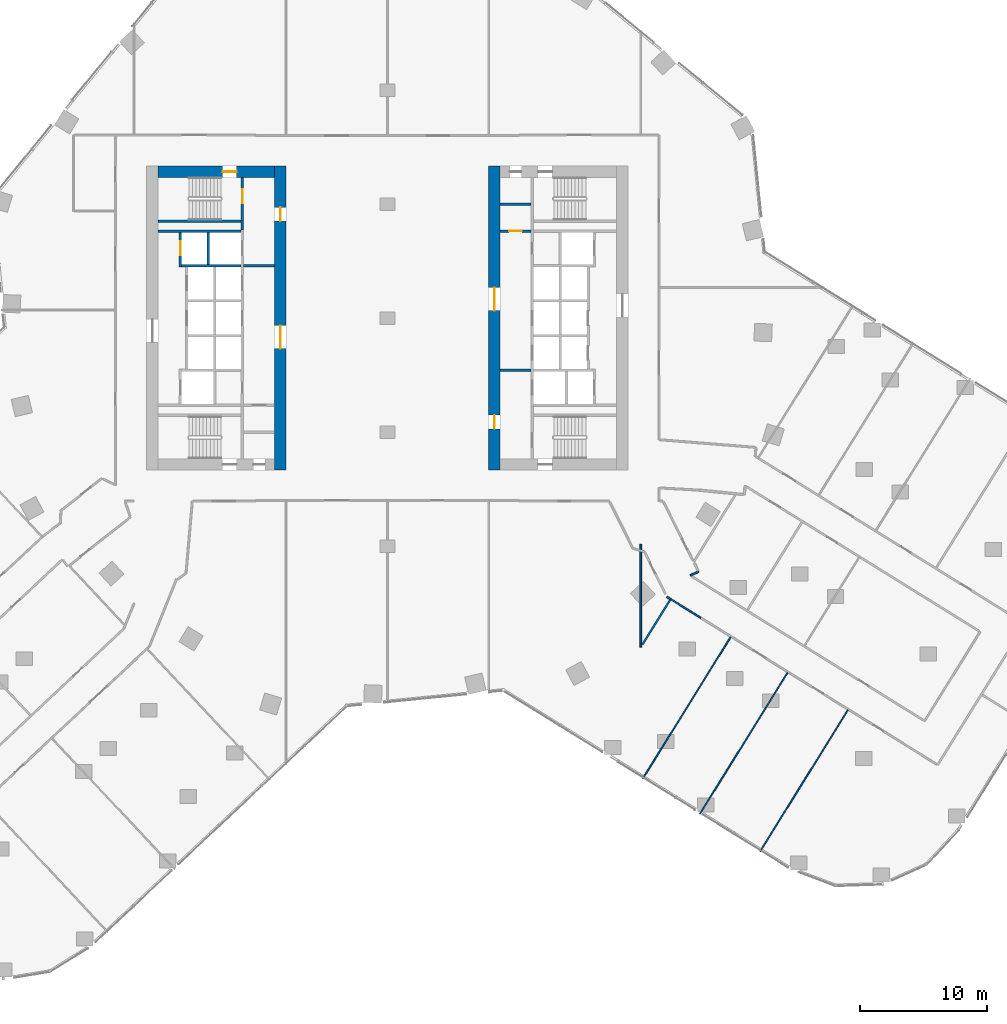
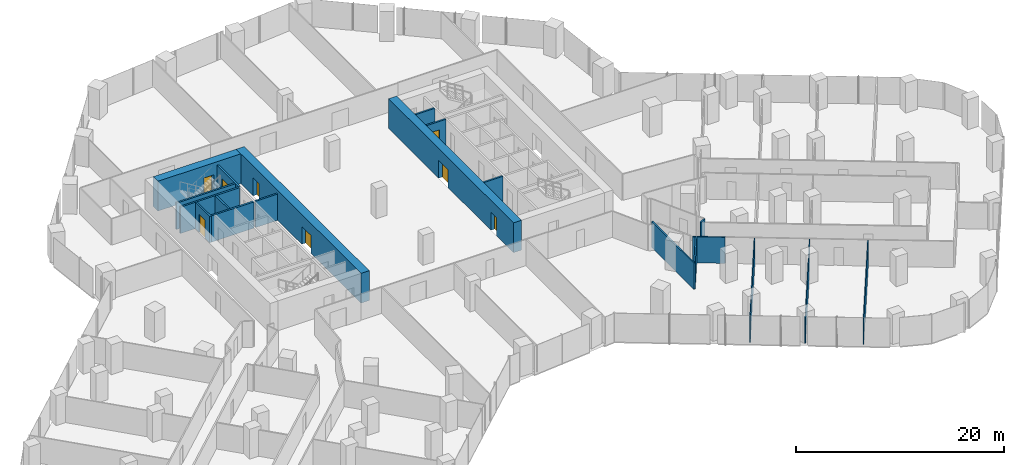
# One storey, part 29 of 34: 21 walls, 8 doors, 8 openings.
"""IFC4 building model written with IfcOpenShell, lengths in metres."""

from ifc_helpers import new_model, si_unit, direction, frame, frame_2d, origin, place, context, subcontext, project, spatial, rectangle, extrude, material, layer, layer_set, type_object, element, fill, save


model = new_model("IFC4")

# Units and contexts
model_context = context("Model", 3, precision=1e-05, world=origin(), true_north=direction((0.0, 1.0)))
body_context = subcontext(model_context, "Body", "Model", "MODEL_VIEW")
ifc_project = project(units=[si_unit("LENGTHUNIT", "METRE"), si_unit("AREAUNIT", "SQUARE_METRE"), si_unit("VOLUMEUNIT", "CUBIC_METRE"), si_unit("PLANEANGLEUNIT", "RADIAN"), si_unit("MASSUNIT", "GRAM", prefix="KILO")], contexts=[model_context])

# Site, building, storey
site_placement = place(None, origin())
site = spatial("IfcSite", under=ifc_project, at=site_placement, CompositionType="ELEMENT")
building_placement = place(site_placement, origin())
building = spatial("IfcBuilding", under=site, at=building_placement, Name="Orlundy Tower", CompositionType="ELEMENT")
storey_placement = place(building_placement, frame((0.0, 0.0, 40.800048828125)))
storey = spatial("IfcBuildingStorey", under=building, at=storey_placement, Name="L08", CompositionType="ELEMENT", Elevation=40.800048828125)

# Wall, opening, door
ifc_material_1 = material(Name="Concrete C80/95", Category="concrete")
ifc_layer_1 = layer(ifc_material_1, 0.89990234375)
ifc_layer_set_1 = layer_set([ifc_layer_1], Name="CORE WALL 900 C80/95")
wall_type_1 = type_object("IfcWallType", Name="CORE WALL 900 C80/95", PredefinedType="SHEAR", material=ifc_layer_set_1)
wall_1_placement = place(storey_placement, frame((-18.10009765625, 11.550048828125, 0.0), z_axis=(0.0, 0.0, 1.0), x_axis=(1.0, 0.0, 0.0)))
wall_1 = element("IfcWall", 1, at=wall_1_placement, inside=storey, type_object=wall_type_1, Name="Core wall W-N L08", PredefinedType="SHEAR", context=body_context, shape_type="SweptSolid", body=[
    extrude(rectangle(XDim=9.2001953125, YDim=0.89990234375, at=frame_2d((4.60009765625, 0.0))), origin(), (0.0, 0.0, 1.0), 3.5),
])
opening_1_placement = place(wall_1_placement, frame((5.10009765625, 0.0, 0.0)))
opening_1 = element("IfcOpeningElement", 2, at=opening_1_placement, cuts=wall_1, Name="Opening 09012", PredefinedType="OPENING", context=body_context, shape_type="SweptSolid", body=[
    extrude(rectangle(XDim=1.10009765625, YDim=2.10009765625, at=frame_2d((0.550048828125, 1.050048828125))), frame((0.0, 0.4599609375, 0.0), z_axis=(0.0, -1.0, 0.0), x_axis=(1.0, 0.0, 0.0)), (0.0, 0.0, 1.0), 0.919921875),
])
ifc_material_2 = material(Name="Steel door set", Category="steel")
door_type_1 = type_object("IfcDoorType", Name="Stair Door 1100x2100", OperationType="SINGLE_SWING_LEFT", PredefinedType="DOOR", material=ifc_material_2)
door_1_placement = place(opening_1_placement, origin())
door_1 = element("IfcDoor", 3, at=door_1_placement, inside=storey, type_object=door_type_1, Name="Stair door 09012", OperationType="SINGLE_SWING_RIGHT", OverallHeight=2.10009765625, OverallWidth=1.10009765625, PredefinedType="DOOR", context=body_context, shape_type="SweptSolid", body=[
    extrude(rectangle(XDim=1.10009765625, YDim=2.10009765625, at=frame_2d((0.550048828125, 1.050048828125))), frame((0.0, 0.02490234375, 0.0), z_axis=(0.0, -1.0, 0.0), x_axis=(1.0, 0.0, 0.0)), (0.0, 0.0, 1.0), 0.050048828125),
])
fill(opening_1, door_1)

# Wall, openings, doors
wall_2_placement = place(storey_placement, frame((-8.449951171875, -12.0, 0.0), z_axis=(0.0, 0.0, 1.0), x_axis=(0.0, 1.0, 0.0)))
wall_2 = element("IfcWall", 4, at=wall_2_placement, inside=storey, type_object=wall_type_1, Name="Core wall W-E L08", PredefinedType="SHEAR", context=body_context, shape_type="SweptSolid", body=[
    extrude(rectangle(XDim=24.0, YDim=0.89990234375, at=frame_2d((12.0, 0.0))), origin(), (0.0, 0.0, 1.0), 3.5),
])
opening_2_placement = place(wall_2_placement, frame((9.60009765625, 0.0, 0.0)))
opening_2 = element("IfcOpeningElement", 5, at=opening_2_placement, cuts=wall_2, Name="Opening 09009", PredefinedType="OPENING", context=body_context, shape_type="SweptSolid", body=[
    extrude(rectangle(XDim=1.800048828125, YDim=2.10009765625, at=frame_2d((0.89990234375, 1.050048828125))), frame((0.0, 0.4599609375, 0.0), z_axis=(0.0, -1.0, 0.0), x_axis=(1.0, 0.0, 0.0)), (0.0, 0.0, 1.0), 0.919921875),
])
opening_3_placement = place(wall_2_placement, frame((19.64990234375, 0.0, 0.0)))
opening_3 = element("IfcOpeningElement", 6, at=opening_3_placement, cuts=wall_2, Name="Opening 09011", PredefinedType="OPENING", context=body_context, shape_type="SweptSolid", body=[
    extrude(rectangle(XDim=1.10009765625, YDim=2.10009765625, at=frame_2d((0.550048828125, 1.050048828125))), frame((0.0, 0.4599609375, 0.0), z_axis=(0.0, -1.0, 0.0), x_axis=(1.0, 0.0, 0.0)), (0.0, 0.0, 1.0), 0.919921875),
])
ifc_material_3 = material(Name="Steel door set", Category="steel")
door_type_2 = type_object("IfcDoorType", Name="Fire-fighting Lobby Door 1100x2100", OperationType="SINGLE_SWING_LEFT", PredefinedType="DOOR", material=ifc_material_3)
door_2_placement = place(opening_3_placement, origin())
door_2 = element("IfcDoor", 7, at=door_2_placement, inside=storey, type_object=door_type_2, Name="Fire-fighting lobby door 09011", OperationType="SINGLE_SWING_RIGHT", OverallHeight=2.10009765625, OverallWidth=1.10009765625, PredefinedType="DOOR", context=body_context, shape_type="SweptSolid", body=[
    extrude(rectangle(XDim=1.10009765625, YDim=2.10009765625, at=frame_2d((0.550048828125, 1.050048828125))), frame((0.0, 0.02490234375, 0.0), z_axis=(0.0, -1.0, 0.0), x_axis=(1.0, 0.0, 0.0)), (0.0, 0.0, 1.0), 0.050048828125),
])
fill(opening_3, door_2)
ifc_material_4 = material(Name="Timber door set", Category="wood")
door_type_3 = type_object("IfcDoorType", Name="Lobby Door 1800x2100", OperationType="DOUBLE_DOOR_DOUBLE_SWING", PredefinedType="DOOR", material=ifc_material_4)
door_3_placement = place(opening_2_placement, origin())
door_3 = element("IfcDoor", 8, at=door_3_placement, inside=storey, type_object=door_type_3, Name="Lift lobby door 09009", OperationType="SINGLE_SWING_LEFT", OverallHeight=2.10009765625, OverallWidth=1.800048828125, PredefinedType="DOOR", context=body_context, shape_type="SweptSolid", body=[
    extrude(rectangle(XDim=1.800048828125, YDim=2.10009765625, at=frame_2d((0.89990234375, 1.050048828125))), frame((0.0, 0.02490234375, 0.0), z_axis=(0.0, -1.0, 0.0), x_axis=(1.0, 0.0, 0.0)), (0.0, 0.0, 1.0), 0.050048828125),
])
fill(opening_2, door_3)

wall_3_placement = place(storey_placement, frame((8.449951171875, -12.0, 0.0), z_axis=(0.0, 0.0, 1.0), x_axis=(0.0, 1.0, 0.0)))
wall_3 = element("IfcWall", 9, at=wall_3_placement, inside=storey, type_object=wall_type_1, Name="Core wall E-W L08", PredefinedType="SHEAR", context=body_context, shape_type="SweptSolid", body=[
    extrude(rectangle(XDim=24.0, YDim=0.89990234375, at=frame_2d((12.0, 0.0))), origin(), (0.0, 0.0, 1.0), 3.5),
])
opening_4_placement = place(wall_3_placement, frame((12.60009765625, 0.0, 0.0)))
opening_4 = element("IfcOpeningElement", 10, at=opening_4_placement, cuts=wall_3, Name="Opening 09058", PredefinedType="OPENING", context=body_context, shape_type="SweptSolid", body=[
    extrude(rectangle(XDim=1.800048828125, YDim=2.10009765625, at=frame_2d((0.89990234375, 1.050048828125))), frame((0.0, 0.4599609375, 0.0), z_axis=(0.0, -1.0, 0.0), x_axis=(1.0, 0.0, 0.0)), (0.0, 0.0, 1.0), 0.919921875),
])
opening_5_placement = place(wall_3_placement, frame((3.25, 0.0, 0.0)))
opening_5 = element("IfcOpeningElement", 11, at=opening_5_placement, cuts=wall_3, Name="Opening 09060", PredefinedType="OPENING", context=body_context, shape_type="SweptSolid", body=[
    extrude(rectangle(XDim=1.10009765625, YDim=2.10009765625, at=frame_2d((0.550048828125, 1.050048828125))), frame((0.0, 0.4599609375, 0.0), z_axis=(0.0, -1.0, 0.0), x_axis=(1.0, 0.0, 0.0)), (0.0, 0.0, 1.0), 0.919921875),
])
door_4_placement = place(opening_5_placement, origin())
door_4 = element("IfcDoor", 12, at=door_4_placement, inside=storey, type_object=door_type_2, Name="Fire-fighting lobby door 09060", OperationType="SINGLE_SWING_LEFT", OverallHeight=2.10009765625, OverallWidth=1.10009765625, PredefinedType="DOOR", context=body_context, shape_type="SweptSolid", body=[
    extrude(rectangle(XDim=1.10009765625, YDim=2.10009765625, at=frame_2d((0.550048828125, 1.050048828125))), frame((0.0, 0.02490234375, 0.0), z_axis=(0.0, -1.0, 0.0), x_axis=(1.0, 0.0, 0.0)), (0.0, 0.0, 1.0), 0.050048828125),
])
fill(opening_5, door_4)
door_5_placement = place(opening_4_placement, origin())
door_5 = element("IfcDoor", 13, at=door_5_placement, inside=storey, type_object=door_type_3, Name="Lift lobby door 09058", OperationType="SINGLE_SWING_RIGHT", OverallHeight=2.10009765625, OverallWidth=1.800048828125, PredefinedType="DOOR", context=body_context, shape_type="SweptSolid", body=[
    extrude(rectangle(XDim=1.800048828125, YDim=2.10009765625, at=frame_2d((0.89990234375, 1.050048828125))), frame((0.0, 0.02490234375, 0.0), z_axis=(0.0, -1.0, 0.0), x_axis=(1.0, 0.0, 0.0)), (0.0, 0.0, 1.0), 0.050048828125),
])
fill(opening_4, door_5)

# Walls
ifc_material_5 = material(Name="Gypsum board partition")
ifc_layer_2 = layer(ifc_material_5, 0.10009765625)
ifc_layer_set_2 = layer_set([ifc_layer_2], Name="Floor partition 100")
wall_type_2 = type_object("IfcWallType", Name="Floor partition 100", PredefinedType="PARTITIONING", material=ifc_layer_set_2)
wall_4_placement = place(storey_placement, frame((29.4189453125, -42.09912109375, 0.0), z_axis=(0.0, 0.0, 1.0), x_axis=(0.527437340002, 0.849593933813, 0.0)))
element("IfcWall", 14, at=wall_4_placement, inside=storey, type_object=wall_type_2, Name="wall-int-L08-058", PredefinedType="PARTITIONING", context=body_context, shape_type="SweptSolid", body=[
    extrude(rectangle(XDim=13.136962890625, YDim=0.10009765625, at=frame_2d((6.568359375, 0.0))), origin(), (0.0, 0.0, 1.0), 3.06005859375),
])
wall_5_placement = place(storey_placement, frame((24.662109375, -39.14599609375, 0.0), z_axis=(0.0, 0.0, 1.0), x_axis=(0.527445667816, 0.849588763757, 0.0)))
element("IfcWall", 15, at=wall_5_placement, inside=storey, type_object=wall_type_2, Name="wall-int-L08-060", PredefinedType="PARTITIONING", context=body_context, shape_type="SweptSolid", body=[
    extrude(rectangle(XDim=13.13671875, YDim=0.10009765625, at=frame_2d((6.568359375, 0.0))), origin(), (0.0, 0.0, 1.0), 3.06005859375),
])
wall_6_placement = place(storey_placement, frame((20.158935546875, -36.35009765625, 0.0), z_axis=(0.0, 0.0, 1.0), x_axis=(0.527437340002, 0.849593933813, 0.0)))
element("IfcWall", 16, at=wall_6_placement, inside=storey, type_object=wall_type_2, Name="wall-int-L08-063", PredefinedType="PARTITIONING", context=body_context, shape_type="SweptSolid", body=[
    extrude(rectangle(XDim=13.136962890625, YDim=0.10009765625, at=frame_2d((6.568359375, 0.0))), origin(), (0.0, 0.0, 1.0), 3.06005859375),
])
ifc_material_6 = material(Name="Gypsum board partition, double layer")
ifc_layer_3 = layer(ifc_material_6, 0.125)
ifc_layer_set_3 = layer_set([ifc_layer_3], Name="Floor partition 125")
wall_type_3 = type_object("IfcWallType", Name="Floor partition 125", PredefinedType="PARTITIONING", material=ifc_layer_set_3)
wall_7_placement = place(storey_placement, frame((22.424072265625, -22.218994140625, 0.0), z_axis=(0.0, 0.0, 1.0), x_axis=(0.849454635984, -0.527661654287, 0.0)))
element("IfcWall", 17, at=wall_7_placement, inside=storey, type_object=wall_type_3, Name="wall-int-L08-019", PredefinedType="PARTITIONING", context=body_context, shape_type="SweptSolid", body=[
    extrude(rectangle(XDim=2.72509765625, YDim=0.125, at=frame_2d((1.362548828125, 0.0))), origin(), (0.0, 0.0, 1.0), 3.06005859375),
])
ifc_material_7 = material(Name="Blockwork shaft wall", Category="masonry")
ifc_layer_4 = layer(ifc_material_7, 0.14990234375)
ifc_layer_set_4 = layer_set([ifc_layer_4], Name="Floor shaft wall 150")
wall_type_4 = type_object("IfcWallType", Name="Floor shaft wall 150", PredefinedType="PARTITIONING", material=ifc_layer_set_4)
wall_8_placement = place(storey_placement, frame((22.069091796875, -22.0, 0.0), z_axis=(0.0, 0.0, 1.0), x_axis=(0.850050687586, -0.526700890956, 0.0)))
element("IfcWall", 18, at=wall_8_placement, inside=storey, type_object=wall_type_4, Name="wall-int-L08-020", PredefinedType="PARTITIONING", context=body_context, shape_type="SweptSolid", body=[
    extrude(rectangle(XDim=0.33984375, YDim=0.14990234375, at=frame_2d((0.169921875, 0.0))), origin(), (0.0, 0.0, 1.0), 3.06005859375),
])
wall_9_placement = place(storey_placement, frame((23.9140625, -20.319091796875, 0.0), z_axis=(0.0, 0.0, 1.0), x_axis=(0.894967710853, 0.4461309186, 0.0)))
element("IfcWall", 19, at=wall_9_placement, inside=storey, type_object=wall_type_4, Name="wall-int-L08-044", PredefinedType="PARTITIONING", context=body_context, shape_type="SweptSolid", body=[
    extrude(rectangle(XDim=0.721923828125, YDim=0.14990234375, at=frame_2d((0.36083984375, 0.0))), origin(), (0.0, 0.0, 1.0), 3.06005859375),
])
wall_10_placement = place(storey_placement, frame((20.132080078125, -25.764892578125, 0.0), z_axis=(0.0, 0.0, 1.0), x_axis=(0.527375821056, 0.849632122372, 0.0)))
element("IfcWall", 20, at=wall_10_placement, inside=storey, type_object=wall_type_4, Name="wall-int-L08-066", PredefinedType="PARTITIONING", context=body_context, shape_type="SweptSolid", body=[
    extrude(rectangle(XDim=4.220458984375, YDim=0.14990234375, at=frame_2d((2.1103515625, 0.0))), origin(), (0.0, 0.0, 1.0), 3.06005859375),
])
wall_11_placement = place(storey_placement, frame((20.0, -25.97705078125, 0.0), z_axis=(0.0, 0.0, 1.0), x_axis=(0.0, 1.0, 0.0)))
element("IfcWall", 21, at=wall_11_placement, inside=storey, type_object=wall_type_4, Name="wall-int-L08-076", PredefinedType="PARTITIONING", context=body_context, shape_type="SweptSolid", body=[
    extrude(rectangle(XDim=8.112060546875, YDim=0.14990234375, at=frame_2d((4.05615234375, 0.0))), origin(), (0.0, 0.0, 1.0), 3.06005859375),
])

# Wall, opening, door
ifc_material_8 = material(Name="Concrete C40/50", Category="concrete")
ifc_layer_5 = layer(ifc_material_8, 0.199951171875)
ifc_layer_set_5 = layer_set([ifc_layer_5], Name="Load-bearing Shaft Wall 200")
wall_type_5 = type_object("IfcWallType", Name="Load-bearing Shaft Wall 200", PredefinedType="SOLIDWALL", material=ifc_layer_set_5)
wall_12_placement = place(storey_placement, frame((-11.43994140625, 6.97509765625, 0.0), z_axis=(0.0, 0.0, 1.0), x_axis=(0.0, 1.0, 0.0)))
wall_12 = element("IfcWall", 22, at=wall_12_placement, inside=storey, type_object=wall_type_5, Name="Shaft wall W09-stair-end-n", PredefinedType="SOLIDWALL", context=body_context, shape_type="SweptSolid", body=[
    extrude(rectangle(XDim=4.125, YDim=0.199951171875, at=frame_2d((2.0625, 0.0))), origin(), (0.0, 0.0, 1.0), 3.079833984375),
])
opening_6_placement = place(wall_12_placement, frame((2.10009765625, 0.0, 0.0)))
opening_6 = element("IfcOpeningElement", 23, at=opening_6_placement, cuts=wall_12, Name="Opening 09014", PredefinedType="OPENING", context=body_context, shape_type="SweptSolid", body=[
    extrude(rectangle(XDim=1.10009765625, YDim=2.10009765625, at=frame_2d((0.550048828125, 1.050048828125))), frame((0.0, 0.110107421875, 0.0), z_axis=(0.0, -1.0, 0.0), x_axis=(1.0, 0.0, 0.0)), (0.0, 0.0, 1.0), 0.22021484375),
])
door_6_placement = place(opening_6_placement, origin())
door_6 = element("IfcDoor", 24, at=door_6_placement, inside=storey, type_object=door_type_2, Name="Fire-fighting lobby to stair door 09014", OperationType="SINGLE_SWING_RIGHT", OverallHeight=2.10009765625, OverallWidth=1.10009765625, PredefinedType="DOOR", context=body_context, shape_type="SweptSolid", body=[
    extrude(rectangle(XDim=1.10009765625, YDim=2.10009765625, at=frame_2d((0.550048828125, 1.050048828125))), frame((0.0, 0.02490234375, 0.0), z_axis=(0.0, -1.0, 0.0), x_axis=(1.0, 0.0, 0.0)), (0.0, 0.0, 1.0), 0.050048828125),
])
fill(opening_6, door_6)

# Walls
wall_13_placement = place(storey_placement, frame((-11.5400390625, 7.64990234375, 0.0), z_axis=(0.0, 0.0, 1.0), x_axis=(-1.0, 0.0, 0.0)))
element("IfcWall", 25, at=wall_13_placement, inside=storey, type_object=wall_type_5, Name="Shaft wall W09-stair-side-n", PredefinedType="SOLIDWALL", context=body_context, shape_type="SweptSolid", body=[
    extrude(rectangle(XDim=6.56005859375, YDim=0.199951171875, at=frame_2d((3.280029296875, 0.0))), origin(), (0.0, 0.0, 1.0), 3.079833984375),
])
ifc_material_9 = material(Name="Gypsum board partition on steel studs", Category="steel")
ifc_layer_6 = layer(ifc_material_9, 0.199951171875)
ifc_layer_set_6 = layer_set([ifc_layer_6], Name="Partition 200")
wall_type_6 = type_object("IfcWallType", Name="Partition 200", PredefinedType="PARTITIONING", material=ifc_layer_set_6)
for number, where, z_axis, x_axis, name in (
    (26, (-8.89990234375, 4.125, 0.0), (0.0, 0.0, 1.0), (-1.0, 0.0, 0.0), "Partition wall W09-lobby-n"),
    (27, (8.89990234375, -4.125, 0.0), (0.0, 0.0, 1.0), (1.0, 0.0, 0.0), "Partition wall E09-lobby-n"),
):
    element("IfcWall", number, at=place(storey_placement, frame(where, z_axis=z_axis, x_axis=x_axis)), inside=storey, type_object=wall_type_6, Name=name, PredefinedType="PARTITIONING", context=body_context, shape_type="SweptSolid", body=[
        extrude(rectangle(XDim=2.440185546875, YDim=0.199951171875, at=frame_2d((1.22021484375, 0.0))), origin(), (0.0, 0.0, 1.0), 3.079833984375),
    ])

# Wall, opening, door
wall_14_placement = place(storey_placement, frame((8.89990234375, 6.875, 0.0), z_axis=(0.0, 0.0, 1.0), x_axis=(1.0, 0.0, 0.0)))
wall_14 = element("IfcWall", 28, at=wall_14_placement, inside=storey, type_object=wall_type_6, Name="Partition wall E09-end-s", PredefinedType="PARTITIONING", context=body_context, shape_type="SweptSolid", body=[
    extrude(rectangle(XDim=2.440185546875, YDim=0.199951171875, at=frame_2d((1.22021484375, 0.0))), origin(), (0.0, 0.0, 1.0), 3.079833984375),
])
opening_7_placement = place(wall_14_placement, frame((0.719970703125, 0.0, 0.0)))
opening_7 = element("IfcOpeningElement", 29, at=opening_7_placement, cuts=wall_14, Name="Opening 09065", PredefinedType="OPENING", context=body_context, shape_type="SweptSolid", body=[
    extrude(rectangle(XDim=1.0, YDim=2.10009765625, at=frame_2d((0.5, 1.050048828125))), frame((0.0, 0.110107421875, 0.0), z_axis=(0.0, -1.0, 0.0), x_axis=(1.0, 0.0, 0.0)), (0.0, 0.0, 1.0), 0.22021484375),
])
ifc_material_10 = material(Name="Timber door set", Category="wood")
door_type_4 = type_object("IfcDoorType", Name="Accessible Door 1000x2100", OperationType="SINGLE_SWING_LEFT", PredefinedType="DOOR", material=ifc_material_10)
door_7_placement = place(opening_7_placement, origin())
door_7 = element("IfcDoor", 30, at=door_7_placement, inside=storey, type_object=door_type_4, Name="Accessible WC door 09065", OperationType="SINGLE_SWING_RIGHT", OverallHeight=2.10009765625, OverallWidth=1.0, PredefinedType="DOOR", context=body_context, shape_type="SweptSolid", body=[
    extrude(rectangle(XDim=1.0, YDim=2.10009765625, at=frame_2d((0.5, 1.050048828125))), frame((0.0, 0.02490234375, 0.0), z_axis=(0.0, -1.0, 0.0), x_axis=(1.0, 0.0, 0.0)), (0.0, 0.0, 1.0), 0.050048828125),
])
fill(opening_7, door_7)

# Walls
wall_15_placement = place(storey_placement, frame((8.89990234375, 9.0, 0.0), z_axis=(0.0, 0.0, 1.0), x_axis=(1.0, 0.0, 0.0)))
element("IfcWall", 31, at=wall_15_placement, inside=storey, type_object=wall_type_6, Name="Partition wall E09-room-s0", PredefinedType="PARTITIONING", context=body_context, shape_type="SweptSolid", body=[
    extrude(rectangle(XDim=2.440185546875, YDim=0.199951171875, at=frame_2d((1.22021484375, 0.0))), origin(), (0.0, 0.0, 1.0), 3.079833984375),
])
ifc_material_11 = material(Name="Fire-rated blockwork shaft wall", Category="masonry")
ifc_layer_7 = layer(ifc_material_11, 0.199951171875)
ifc_layer_set_7 = layer_set([ifc_layer_7], Name="Shaft Wall 200")
wall_type_7 = type_object("IfcWallType", Name="Shaft Wall 200", PredefinedType="SOLIDWALL", material=ifc_layer_set_7)
wall_16_placement = place(storey_placement, frame((-11.5400390625, 6.875, 0.0), z_axis=(0.0, 0.0, 1.0), x_axis=(-1.0, 0.0, 0.0)))
element("IfcWall", 32, at=wall_16_placement, inside=storey, type_object=wall_type_7, Name="Shaft wall W09-zone-n", PredefinedType="SOLIDWALL", context=body_context, shape_type="SweptSolid", body=[
    extrude(rectangle(XDim=6.56005859375, YDim=0.199951171875, at=frame_2d((3.280029296875, 0.0))), origin(), (0.0, 0.0, 1.0), 3.079833984375),
])
wall_17_placement = place(storey_placement, frame((-11.5400390625, 4.125, 0.0), z_axis=(0.0, 0.0, 1.0), x_axis=(-1.0, 0.0, 0.0)))
element("IfcWall", 33, at=wall_17_placement, inside=storey, type_object=wall_type_7, Name="Shaft wall W09-cross+4.125", PredefinedType="SOLIDWALL", context=body_context, shape_type="SweptSolid", body=[
    extrude(rectangle(XDim=4.699951171875, YDim=0.199951171875, at=frame_2d((2.35009765625, 0.0))), origin(), (0.0, 0.0, 1.0), 3.079833984375),
])
wall_18_placement = place(storey_placement, frame((-14.139892578125, 4.22509765625, 0.0), z_axis=(0.0, 0.0, 1.0), x_axis=(0.0, 1.0, 0.0)))
element("IfcWall", 34, at=wall_18_placement, inside=storey, type_object=wall_type_7, Name="Shaft wall W09-mid-b", PredefinedType="SOLIDWALL", context=body_context, shape_type="SweptSolid", body=[
    extrude(rectangle(XDim=2.5498046875, YDim=0.199951171875, at=frame_2d((1.27490234375, 0.0))), origin(), (0.0, 0.0, 1.0), 3.079833984375),
])

# Wall, opening, door
wall_19_placement = place(storey_placement, frame((-16.340087890625, 4.02490234375, 0.0), z_axis=(0.0, 0.0, 1.0), x_axis=(0.0, 1.0, 0.0)))
wall_19 = element("IfcWall", 35, at=wall_19_placement, inside=storey, type_object=wall_type_7, Name="Shaft wall W09-front-o-c", PredefinedType="SOLIDWALL", context=body_context, shape_type="SweptSolid", body=[
    extrude(rectangle(XDim=2.75, YDim=0.199951171875, at=frame_2d((1.375, 0.0))), origin(), (0.0, 0.0, 1.0), 3.079833984375),
])
opening_8_placement = place(wall_19_placement, frame((0.925048828125, 0.0, 0.0)))
opening_8 = element("IfcOpeningElement", 36, at=opening_8_placement, cuts=wall_19, Name="Opening 09007", PredefinedType="OPENING", context=body_context, shape_type="SweptSolid", body=[
    extrude(rectangle(XDim=1.10009765625, YDim=2.10009765625, at=frame_2d((0.550048828125, 1.050048828125))), frame((0.0, 0.110107421875, 0.0), z_axis=(0.0, -1.0, 0.0), x_axis=(1.0, 0.0, 0.0)), (0.0, 0.0, 1.0), 0.22021484375),
])
ifc_material_12 = material(Name="Steel door set", Category="steel")
door_type_5 = type_object("IfcDoorType", Name="Landing Door 1100x2100", OperationType="DOUBLE_DOOR_SLIDING", PredefinedType="DOOR", material=ifc_material_12)
door_8_placement = place(opening_8_placement, origin())
door_8 = element("IfcDoor", 37, at=door_8_placement, inside=storey, type_object=door_type_5, Name="Lift landing door LP-04 09007", OperationType="DOUBLE_DOOR_SLIDING", OverallHeight=2.10009765625, OverallWidth=1.10009765625, PredefinedType="DOOR", context=body_context, shape_type="SweptSolid", body=[
    extrude(rectangle(XDim=1.10009765625, YDim=2.10009765625, at=frame_2d((0.550048828125, 1.050048828125))), frame((0.0, 0.02490234375, 0.0), z_axis=(0.0, -1.0, 0.0), x_axis=(1.0, 0.0, 0.0)), (0.0, 0.0, 1.0), 0.050048828125),
])
fill(opening_8, door_8)

save(model, "model.ifc")
